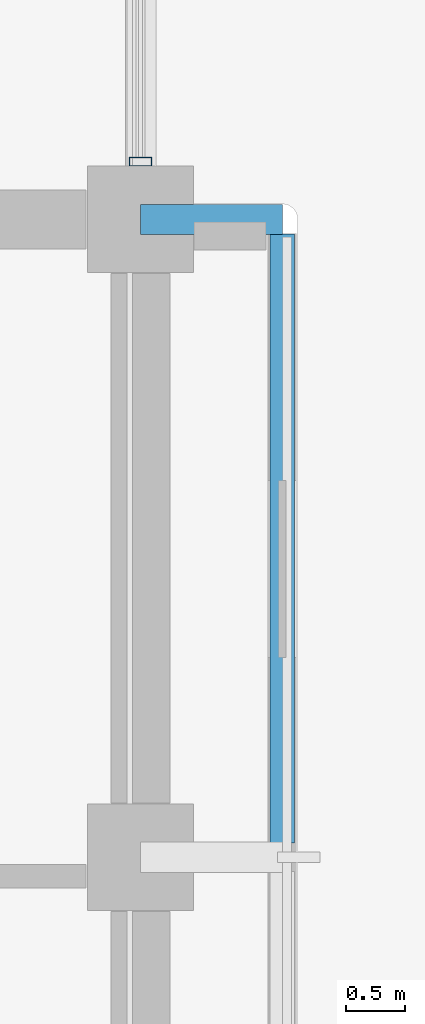
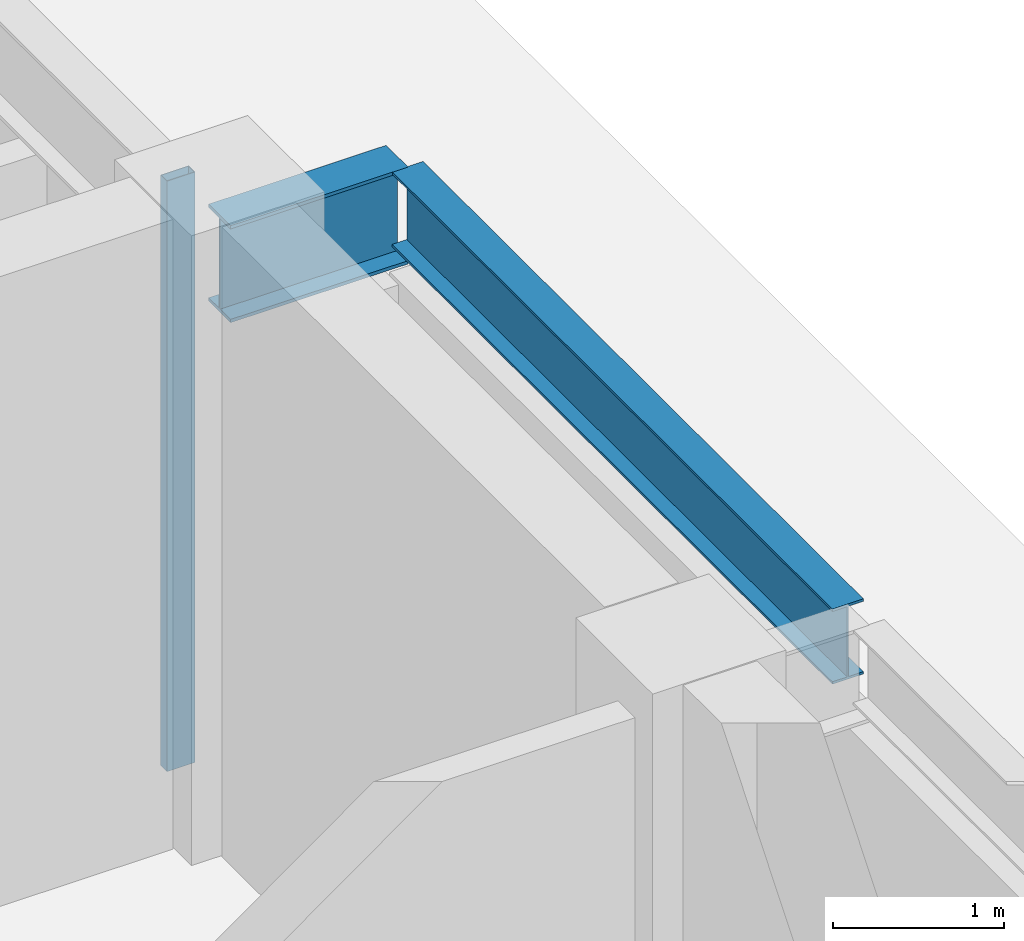
# One storey, part 8 of 22: 2 beams, 1 member, 1 element without a shape of its own.
"""IFC4 building model written with IfcOpenShell, lengths in metres."""

from ifc_helpers import new_model, si_unit, direction, frame, origin, origin_2d, place, context, subcontext, project, spatial, hollow_rectangle, i_section, extrude, material, layer, layer_set, material_profile, profile_set, type_object, element, aggregate, save


model = new_model("IFC4")

# Units and contexts
model_context = context("Model", 3, precision=1e-05, world=origin(), true_north=direction((0.0, 1.0)))
body_context = subcontext(model_context, "Body", "Model", "MODEL_VIEW")
ifc_project = project(units=[si_unit("LENGTHUNIT", "METRE"), si_unit("AREAUNIT", "SQUARE_METRE"), si_unit("VOLUMEUNIT", "CUBIC_METRE"), si_unit("PLANEANGLEUNIT", "RADIAN"), si_unit("MASSUNIT", "GRAM", prefix="KILO")], contexts=[model_context])

# Site, building, storey
site_placement = place(None, origin())
site = spatial("IfcSite", under=ifc_project, at=site_placement, CompositionType="ELEMENT")
building_placement = place(site_placement, origin())
building = spatial("IfcBuilding", under=site, at=building_placement, Name="Surkhivell Harbour Commons", CompositionType="ELEMENT")
storey_placement = place(building_placement, frame((0.0, 0.0, 337.5)))
storey = spatial("IfcBuildingStorey", under=building, at=storey_placement, Name="L88", CompositionType="ELEMENT", Elevation=337.5)

# Beams
ifc_material_1 = material(Name="Steel S460", Category="steel")
ifc_material_profile_1 = material_profile(ifc_material_1, i_section(OverallWidth=0.256103515625, OverallDepth=0.693115234375, WebThickness=0.014404296875, FlangeThickness=0.023681640625, at=origin_2d()), Name="UB686x254x170")
ifc_profile_set_1 = profile_set([ifc_material_profile_1], Name="Steel S460")
beam_type_1 = type_object("IfcBeamType", Name="BM-CNT-686", PredefinedType="BEAM", material=ifc_profile_set_1)
beam_1_placement = place(storey_placement, frame((10.800048828125, 10.800048828125, 3.87353515625), z_axis=(1.0, 0.0, 0.0), x_axis=(0.0, 1.0, 0.0)))
element("IfcBeam", 1, at=beam_1_placement, inside=storey, type_object=beam_type_1, Name="L88 Box Cantilever Outrigger (10.8,10.8)", PredefinedType="BEAM", context=body_context, shape_type="SweptSolid", body=[
    extrude(i_section(OverallWidth=0.256103515625, OverallDepth=0.693115234375, WebThickness=0.014404296875, FlangeThickness=0.023681640625, at=origin_2d()), origin(), (0.0, 0.0, 1.0), 1.199951171875),
])
ifc_material_2 = material(Name="Steel S355", Category="steel")
ifc_material_profile_2 = material_profile(ifc_material_2, i_section(OverallWidth=0.2099609375, OverallDepth=0.537109375, WebThickness=0.0107421875, FlangeThickness=0.017333984375, at=origin_2d()), Name="UB533x210x101")
ifc_profile_set_2 = profile_set([ifc_material_profile_2], Name="Steel S355")
beam_type_2 = type_object("IfcBeamType", Name="BM-GRD-533B", PredefinedType="BEAM", material=ifc_profile_set_2)
beam_2_placement = place(storey_placement, frame((12.0, 5.52197265625, 3.951416015625), z_axis=(0.0, 1.0, 0.0), x_axis=(-1.0, 0.0, 0.0)))
element("IfcBeam", 2, at=beam_2_placement, inside=storey, type_object=beam_type_2, Name="L88 Box Rim Spandrel (12.0,5.4)", PredefinedType="BEAM", context=body_context, shape_type="SweptSolid", body=[
    extrude(i_section(OverallWidth=0.2099609375, OverallDepth=0.537109375, WebThickness=0.0107421875, FlangeThickness=0.017333984375, at=origin_2d()), origin(), (0.0, 0.0, 1.0), 5.156005859375),
])

# Curtain wall, member
ifc_material_3 = material(Name="Anodised pale-metal aluminium and insulated glazing", Category="aluminium")
ifc_layer = layer(ifc_material_3, 0.22998046875)
ifc_layer_set = layer_set([ifc_layer], Name="Anodised pale-metal aluminium and insulated glazing")
curtain_wall_type = type_object("IfcCurtainWallType", Name="CW-SYS-CRN", PredefinedType="NOTDEFINED", material=ifc_layer_set)
curtain_wall_placement = place(storey_placement, origin())
curtain_wall = element("IfcCurtainWall", 3, at=curtain_wall_placement, inside=storey, type_object=curtain_wall_type, Name="L88 Curtain Wall CW-L88-C01S2", PredefinedType="NOTDEFINED")
ifc_material_4 = material(Name="Anodised pale-metal aluminium alloy 6063-T6", Category="aluminium")
ifc_material_profile_3 = material_profile(ifc_material_4, hollow_rectangle(XDim=0.074951171875, YDim=0.18994140625, WallThickness=0.00390625, at=origin_2d()), Name="ALU-MULL-75x190")
ifc_profile_set_3 = profile_set([ifc_material_profile_3], Name="Anodised pale-metal aluminium alloy 6063-T6")
member_type = type_object("IfcMemberType", Name="CWM-190", PredefinedType="MULLION", material=ifc_profile_set_3)
member_placement = place(storey_placement, frame((10.800048828125, 11.28955078125, 0.0), z_axis=(0.0, 0.0, 1.0), x_axis=(0.0, 1.0, 0.0)))
member = element("IfcMember", 4, at=member_placement, type_object=member_type, Name="CW-CRN mullion 1", PredefinedType="MULLION", context=body_context, shape_type="SweptSolid", body=[
    extrude(hollow_rectangle(XDim=0.074951171875, YDim=0.18994140625, WallThickness=0.00390625, at=origin_2d()), origin(), (0.0, 0.0, 1.0), 4.219970703125),
])
aggregate(curtain_wall, [member])

save(model, "model.ifc")
